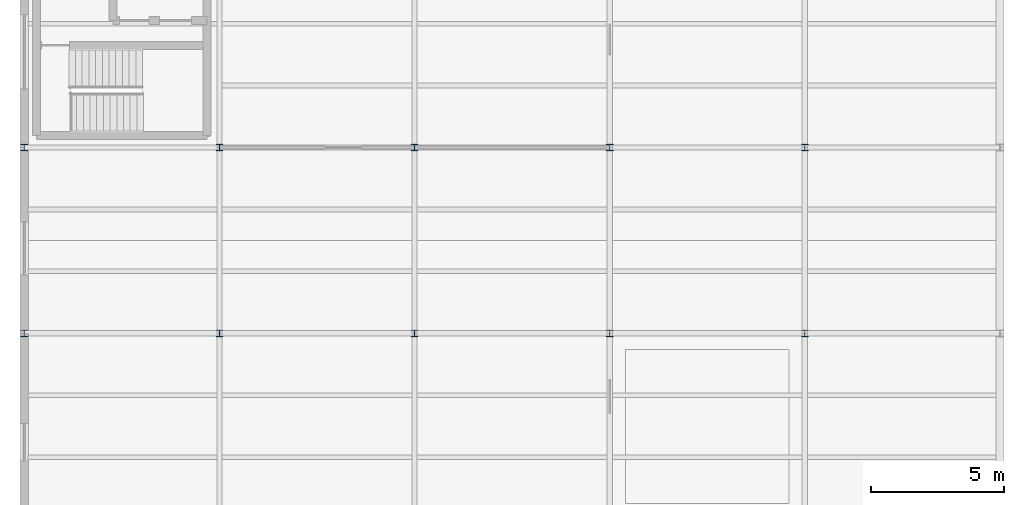
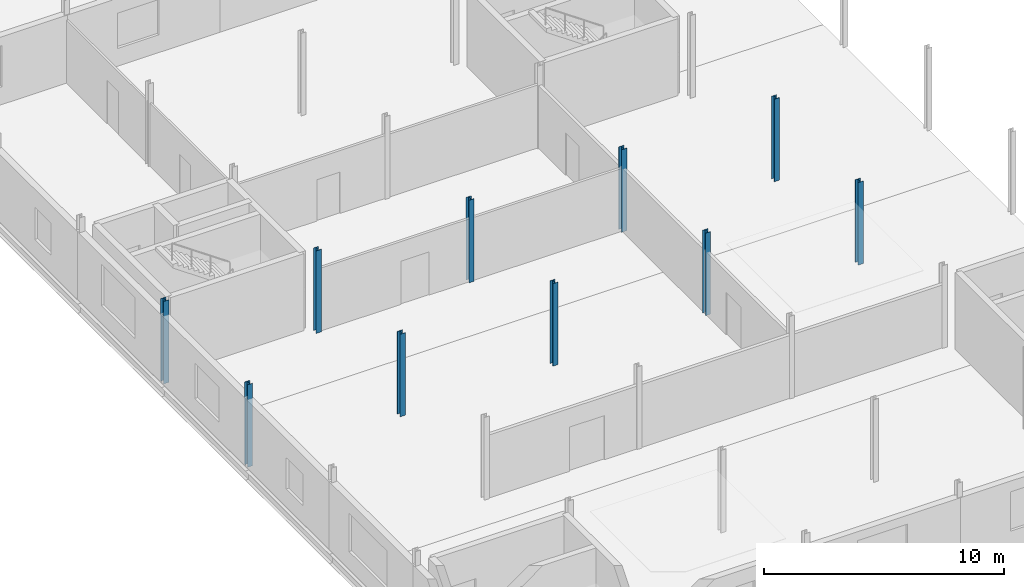
# One storey, part 2 of 9: 10 columns.
"""IFC4 building model written with IfcOpenShell, lengths in metres."""

from ifc_helpers import new_model, si_unit, direction, frame, origin, origin_2d, place, context, subcontext, project, spatial, i_section, extrude, material, material_profile, profile_set, type_object, element, save


model = new_model("IFC4")

# Units and contexts
model_context = context("Model", 3, precision=1e-05, world=origin(), true_north=direction((0.0, 1.0)))
body_context = subcontext(model_context, "Body", "Model", "MODEL_VIEW")
ifc_project = project(units=[si_unit("LENGTHUNIT", "METRE"), si_unit("AREAUNIT", "SQUARE_METRE"), si_unit("VOLUMEUNIT", "CUBIC_METRE"), si_unit("PLANEANGLEUNIT", "RADIAN"), si_unit("MASSUNIT", "GRAM", prefix="KILO")], contexts=[model_context])

# Site, building, storey
site_placement = place(None, origin())
site = spatial("IfcSite", under=ifc_project, at=site_placement, CompositionType="ELEMENT")
building_placement = place(site_placement, origin())
building = spatial("IfcBuilding", under=site, at=building_placement, Name="Kazenagashi Tramway Depot", CompositionType="ELEMENT")
storey_placement = place(building_placement, frame((0.0, 0.0, 15.3)))
storey = spatial("IfcBuildingStorey", under=building, at=storey_placement, Name="L04", CompositionType="ELEMENT", Elevation=15.3)

# Columns
ifc_material = material(Name="Steel SN490B", Category="steel")
ifc_material_profile = material_profile(ifc_material, i_section(OverallWidth=0.25, OverallDepth=0.25, WebThickness=0.009, FlangeThickness=0.014, at=origin_2d()), Name="H-250x250x9x14")
ifc_profile_set = profile_set([ifc_material_profile], Name="Steel SN490B")
column_type = type_object("IfcColumnType", Name="C-06", PredefinedType="COLUMN", material=ifc_profile_set)
for number, where, z_axis, x_axis, name in (
    (1, (0.0, 21.0, 0.0), (0.0, 0.0, 1.0), (1.0, 0.0, 0.0), "Column C-06 COL-0547"),
    (2, (0.0, 28.0, 0.0), (0.0, 0.0, 1.0), (1.0, 0.0, 0.0), "Column C-06 COL-0552"),
    (3, (7.35, 21.0, 0.0), (0.0, 0.0, 1.0), (1.0, 0.0, 0.0), "Column C-06 COL-0589"),
    (4, (7.35, 28.0, 0.0), (0.0, 0.0, 1.0), (1.0, 0.0, 0.0), "Column C-06 COL-0594"),
    (5, (14.7, 21.0, 0.0), (0.0, 0.0, 1.0), (1.0, 0.0, 0.0), "Column C-06 COL-0634"),
    (6, (14.7, 28.0, 0.0), (0.0, 0.0, 1.0), (1.0, 0.0, 0.0), "Column C-06 COL-0639"),
    (7, (22.05, 21.0, 0.0), (0.0, 0.0, 1.0), (1.0, 0.0, 0.0), "Column C-06 COL-0676"),
    (8, (22.05, 28.0, 0.0), (0.0, 0.0, 1.0), (1.0, 0.0, 0.0), "Column C-06 COL-0681"),
    (9, (29.4, 21.0, 0.0), (0.0, 0.0, 1.0), (1.0, 0.0, 0.0), "Column C-06 COL-0721"),
    (10, (29.4, 28.0, 0.0), (0.0, 0.0, 1.0), (1.0, 0.0, 0.0), "Column C-06 COL-0726"),
):
    element("IfcColumn", number, at=place(storey_placement, frame(where, z_axis=z_axis, x_axis=x_axis)), inside=storey, type_object=column_type, Name=name, PredefinedType="COLUMN", context=body_context, shape_type="SweptSolid", body=[
        extrude(i_section(OverallWidth=0.25, OverallDepth=0.25, WebThickness=0.009, FlangeThickness=0.014, at=origin_2d()), origin(), (0.0, 0.0, 1.0), 4.2),
    ])

save(model, "model.ifc")
